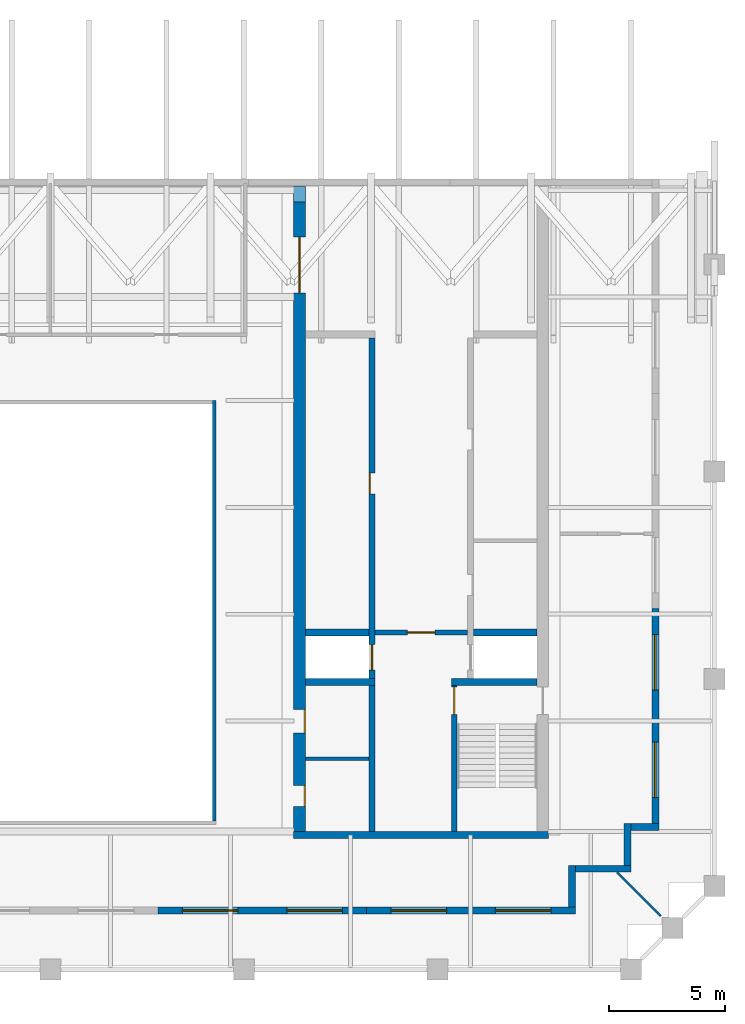
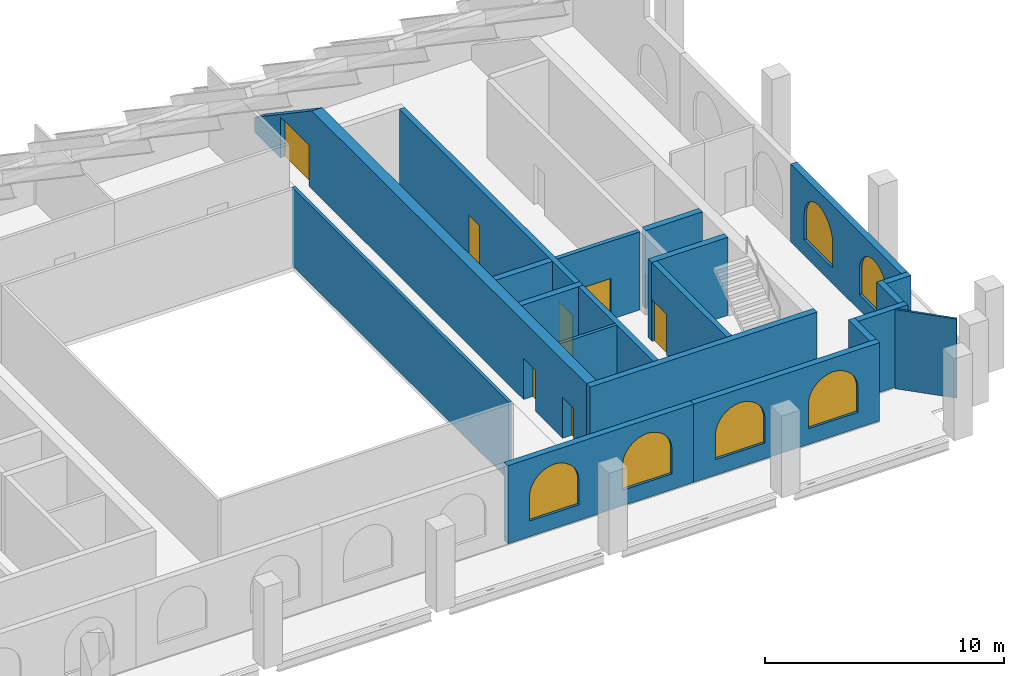
# One storey, part 4 of 6: 19 walls, 7 doors, 6 windows, 13 openings.
"""IFC4 building model written with IfcOpenShell, lengths in metres."""

from ifc_helpers import new_model, si_unit, direction, frame, frame_2d, origin, place, context, subcontext, project, spatial, polyline, rectangle, outline, extrude, material, layer, layer_set, type_object, element, fill, save


model = new_model("IFC4")

# Units and contexts
model_context = context("Model", 3, precision=1e-05, world=origin(), true_north=direction((0.0, 1.0)))
body_context = subcontext(model_context, "Body", "Model", "MODEL_VIEW")
ifc_project = project(units=[si_unit("LENGTHUNIT", "METRE"), si_unit("AREAUNIT", "SQUARE_METRE"), si_unit("VOLUMEUNIT", "CUBIC_METRE"), si_unit("PLANEANGLEUNIT", "RADIAN"), si_unit("MASSUNIT", "GRAM", prefix="KILO")], contexts=[model_context])

# Site, building, storey
site_placement = place(None, origin())
site = spatial("IfcSite", under=ifc_project, at=site_placement, CompositionType="ELEMENT")
building_placement = place(site_placement, origin())
building = spatial("IfcBuilding", under=site, at=building_placement, Name="Ogive Exchange Tower", CompositionType="ELEMENT")
storey_placement = place(building_placement, frame((0.0, 0.0, 390.0)))
storey = spatial("IfcBuildingStorey", under=building, at=storey_placement, Name="C06", CompositionType="ELEMENT", Elevation=390.0)

# Walls
ifc_material_1 = material(Name="Gypsum board partition")
ifc_layer_1 = layer(ifc_material_1, 0.14990234375)
ifc_layer_set_1 = layer_set([ifc_layer_1], Name="Core room partition 150 gypsum")
wall_type_1 = type_object("IfcWallType", Name="Core room partition 150 gypsum", PredefinedType="PARTITIONING", material=ifc_layer_set_1)
wall_1_placement = place(storey_placement, frame((11.0, 0.699951171875, 0.0), z_axis=(0.0, 0.0, 1.0), x_axis=(1.0, 0.0, 0.0)))
element("IfcWall", 1, at=wall_1_placement, inside=storey, type_object=wall_type_1, Name="E south room partition", PredefinedType="PARTITIONING", context=body_context, shape_type="SweptSolid", body=[
    extrude(rectangle(XDim=2.75, YDim=0.14990234375, at=frame_2d((1.375, 0.0))), origin(), (0.0, 0.0, 1.0), 4.0),
])
ifc_material_2 = material(Name="Fire-resisting glass in steel frame", Category="steel")
ifc_layer_2 = layer(ifc_material_2, 0.14990234375)
ifc_layer_set_2 = layer_set([ifc_layer_2], Name="Fire-rated glazed wall 150")
wall_type_2 = type_object("IfcWallType", Name="Fire-rated glazed wall 150", PredefinedType="STANDARD", material=ifc_layer_set_2)
wall_2_placement = place(storey_placement, frame((7.074951171875, 16.14990234375, 0.0), z_axis=(0.0, 0.0, 1.0), x_axis=(0.0, -1.0, 0.0)))
element("IfcWall", 2, at=wall_2_placement, inside=storey, type_object=wall_type_2, Name="Nave enclosure wall 3", PredefinedType="STANDARD", context=body_context, shape_type="SweptSolid", body=[
    extrude(rectangle(XDim=18.14990234375, YDim=0.14990234375, at=frame_2d((9.074951171875, 0.0))), origin(), (0.0, 0.0, 1.0), 4.0),
])
ifc_material_3 = material(Name="Laminated safety glass in steel frame", Category="steel")
ifc_layer_3 = layer(ifc_material_3, 0.10009765625)
ifc_layer_set_3 = layer_set([ifc_layer_3], Name="Loggia end screen 100")
wall_type_3 = type_object("IfcWallType", Name="Loggia end screen 100", PredefinedType="STANDARD", material=ifc_layer_set_3)
wall_3_placement = place(storey_placement, frame((24.449951171875, -4.199951171875, -0.050048828125), z_axis=(0.0, 0.0, 1.0), x_axis=(0.707106781187, -0.707106781187, 0.0)))
element("IfcWall", 3, at=wall_3_placement, inside=storey, type_object=wall_type_3, Name="Loggia end screen C1", PredefinedType="STANDARD", context=body_context, shape_type="SweptSolid", body=[
    extrude(rectangle(XDim=2.667236328125, YDim=0.10009765625, at=frame_2d((1.33349609375, 0.0))), origin(), (0.0, 0.0, 1.0), 4.050048828125),
])

# Wall, opening, door
ifc_material_4 = material(Name="Concrete C70/85", Category="concrete")
ifc_layer_4 = layer(ifc_material_4, 0.199951171875)
ifc_layer_set_4 = layer_set([ifc_layer_4], Name="RC core wall 200 C70/85")
wall_type_4 = type_object("IfcWallType", Name="RC core wall 200 C70/85", PredefinedType="SHEAR", material=ifc_layer_set_4)
wall_4_placement = place(storey_placement, frame((14.0, 6.142822265625, 0.0), z_axis=(0.0, 0.0, 1.0), x_axis=(1.0, 0.0, 0.0)))
wall_4 = element("IfcWall", 4, at=wall_4_placement, inside=storey, type_object=wall_type_4, Name="E firefighting lobby wall", PredefinedType="SHEAR", context=body_context, shape_type="SweptSolid", body=[
    extrude(rectangle(XDim=4.0, YDim=0.199951171875, at=frame_2d((2.0, 0.0))), origin(), (0.0, 0.0, 1.0), 4.0),
])
opening_1_placement = place(wall_4_placement, frame((1.39990234375, 0.0, 0.0)))
opening_1 = element("IfcOpeningElement", 5, at=opening_1_placement, cuts=wall_4, Name="Opening C06-C17", PredefinedType="OPENING", context=body_context, shape_type="SweptSolid", body=[
    extrude(rectangle(XDim=1.199951171875, YDim=2.10009765625, at=frame_2d((0.60009765625, 1.050048828125))), frame((0.0, 0.10986328125, 0.0), z_axis=(0.0, -1.0, 0.0), x_axis=(1.0, 0.0, 0.0)), (0.0, 0.0, 1.0), 0.219970703125),
])
ifc_material_5 = material(Name="Steel fire door", Category="steel")
door_type_1 = type_object("IfcDoorType", Name="Firefighting lobby door FD60 1200 x 2100", OperationType="NOTDEFINED", PredefinedType="DOOR", material=ifc_material_5)
door_1_placement = place(opening_1_placement, frame((1.199951171875, 0.0, 0.0), z_axis=(0.0, 0.0, 1.0), x_axis=(-1.0, 0.0, 0.0)))
door_1 = element("IfcDoor", 6, at=door_1_placement, inside=storey, type_object=door_type_1, Name="Firefighting lobby door", ObjectType="CD3", OperationType="SINGLE_SWING_LEFT", OverallHeight=2.10009765625, OverallWidth=1.199951171875, PredefinedType="DOOR", context=body_context, shape_type="SweptSolid", body=[
    extrude(rectangle(XDim=1.199951171875, YDim=2.10009765625, at=frame_2d((0.60009765625, 1.050048828125))), frame((0.0, 0.02490234375, 0.0), z_axis=(0.0, -1.0, 0.0), x_axis=(1.0, 0.0, 0.0)), (0.0, 0.0, 1.0), 0.050048828125),
])
fill(opening_1, door_1)

ifc_layer_5 = layer(ifc_material_4, 0.25)
ifc_layer_set_5 = layer_set([ifc_layer_5], Name="RC core wall 250 C70/85")
wall_type_5 = type_object("IfcWallType", Name="RC core wall 250 C70/85", PredefinedType="SHEAR", material=ifc_layer_set_5)
wall_5_placement = place(storey_placement, frame((17.425048828125, -2.449951171875, 0.0), z_axis=(0.0, 0.0, 1.0), x_axis=(0.0, 1.0, 0.0)))
wall_5 = element("IfcWall", 7, at=wall_5_placement, inside=storey, type_object=wall_type_5, Name="E stair S front wall", PredefinedType="SHEAR", context=body_context, shape_type="SweptSolid", body=[
    extrude(rectangle(XDim=6.300048828125, YDim=0.25, at=frame_2d((3.14990234375, 0.0))), origin(), (0.0, 0.0, 1.0), 4.0),
])
opening_2_placement = place(wall_5_placement, frame((5.050048828125, 0.0, 0.0)))
opening_2 = element("IfcOpeningElement", 8, at=opening_2_placement, cuts=wall_5, Name="Opening C06-C19", PredefinedType="OPENING", context=body_context, shape_type="SweptSolid", body=[
    extrude(rectangle(XDim=1.199951171875, YDim=2.10009765625, at=frame_2d((0.60009765625, 1.050048828125))), frame((0.0, 0.135009765625, 0.0), z_axis=(0.0, -1.0, 0.0), x_axis=(1.0, 0.0, 0.0)), (0.0, 0.0, 1.0), 0.27001953125),
])
door_type_2 = type_object("IfcDoorType", Name="Stair door FD90 1200 x 2100", OperationType="NOTDEFINED", PredefinedType="DOOR", material=ifc_material_5)
door_2_placement = place(opening_2_placement, frame((1.199951171875, 0.0, 0.0), z_axis=(0.0, 0.0, 1.0), x_axis=(-1.0, 0.0, 0.0)))
door_2 = element("IfcDoor", 9, at=door_2_placement, inside=storey, type_object=door_type_2, Name="Stair door", ObjectType="CD5", OperationType="SINGLE_SWING_RIGHT", OverallHeight=2.10009765625, OverallWidth=1.199951171875, PredefinedType="DOOR", context=body_context, shape_type="SweptSolid", body=[
    extrude(rectangle(XDim=1.199951171875, YDim=2.10009765625, at=frame_2d((0.60009765625, 1.050048828125))), frame((0.0, 0.02490234375, 0.0), z_axis=(0.0, -1.0, 0.0), x_axis=(1.0, 0.0, 0.0)), (0.0, 0.0, 1.0), 0.050048828125),
])
fill(opening_2, door_2)

# Wall, openings, doors
wall_6_placement = place(storey_placement, frame((13.875, -2.449951171875, 0.0), z_axis=(0.0, 0.0, 1.0), x_axis=(0.0, 1.0, 0.0)))
wall_6 = element("IfcWall", 10, at=wall_6_placement, inside=storey, type_object=wall_type_5, Name="E row B front wall", PredefinedType="SHEAR", context=body_context, shape_type="SweptSolid", body=[
    extrude(rectangle(XDim=21.300048828125, YDim=0.25, at=frame_2d((10.64990234375, 0.0))), origin(), (0.0, 0.0, 1.0), 4.0),
])
opening_3_placement = place(wall_6_placement, frame((14.5712890625, 0.0, 0.0)))
opening_3 = element("IfcOpeningElement", 11, at=opening_3_placement, cuts=wall_6, Name="Opening C06-C15", PredefinedType="OPENING", context=body_context, shape_type="SweptSolid", body=[
    extrude(rectangle(XDim=0.89990234375, YDim=2.10009765625, at=frame_2d((0.449951171875, 1.050048828125))), frame((0.0, 0.135009765625, 0.0), z_axis=(0.0, -1.0, 0.0), x_axis=(1.0, 0.0, 0.0)), (0.0, 0.0, 1.0), 0.27001953125),
])
opening_4_placement = place(wall_6_placement, frame((6.971435546875, 0.0, 0.0)))
opening_4 = element("IfcOpeningElement", 12, at=opening_4_placement, cuts=wall_6, Name="Opening C06-C16", PredefinedType="OPENING", context=body_context, shape_type="SweptSolid", body=[
    extrude(rectangle(XDim=1.10009765625, YDim=2.10009765625, at=frame_2d((0.550048828125, 1.050048828125))), frame((0.0, 0.135009765625, 0.0), z_axis=(0.0, -1.0, 0.0), x_axis=(1.0, 0.0, 0.0)), (0.0, 0.0, 1.0), 0.27001953125),
])
ifc_material_6 = material(Name="Stainless steel", Category="steel")
door_type_3 = type_object("IfcDoorType", Name="Lift landing door FD90 1100 x 2100", OperationType="SLIDING_TO_LEFT", PredefinedType="DOOR", material=ifc_material_6)
door_3_placement = place(opening_4_placement, origin())
door_3 = element("IfcDoor", 13, at=door_3_placement, inside=storey, type_object=door_type_3, Name="Lift landing door SV2", ObjectType="LD", OperationType="SLIDING_TO_LEFT", OverallHeight=2.10009765625, OverallWidth=1.10009765625, PredefinedType="DOOR", context=body_context, shape_type="SweptSolid", body=[
    extrude(rectangle(XDim=1.10009765625, YDim=2.10009765625, at=frame_2d((0.550048828125, 1.050048828125))), frame((0.0, 0.02490234375, 0.0), z_axis=(0.0, -1.0, 0.0), x_axis=(1.0, 0.0, 0.0)), (0.0, 0.0, 1.0), 0.050048828125),
])
fill(opening_4, door_3)
door_type_4 = type_object("IfcDoorType", Name="Riser door FD60 900 x 2100", OperationType="NOTDEFINED", PredefinedType="DOOR", material=ifc_material_5)
door_4_placement = place(opening_3_placement, origin())
door_4 = element("IfcDoor", 14, at=door_4_placement, inside=storey, type_object=door_type_4, Name="Riser door", ObjectType="CD2", OperationType="SINGLE_SWING_RIGHT", OverallHeight=2.10009765625, OverallWidth=0.89990234375, PredefinedType="DOOR", context=body_context, shape_type="SweptSolid", body=[
    extrude(rectangle(XDim=0.89990234375, YDim=2.10009765625, at=frame_2d((0.449951171875, 1.050048828125))), frame((0.0, 0.125, 0.0), z_axis=(0.0, -1.0, 0.0), x_axis=(1.0, 0.0, 0.0)), (0.0, 0.0, 1.0), 0.050048828125),
])
fill(opening_3, door_4)

# Walls
ifc_layer_6 = layer(ifc_material_4, 0.300048828125)
ifc_layer_set_6 = layer_set([ifc_layer_6], Name="RC core wall 300 C70/85")
wall_type_6 = type_object("IfcWallType", Name="RC core wall 300 C70/85", PredefinedType="SHEAR", material=ifc_layer_set_6)
wall_7_placement = place(storey_placement, frame((10.5, -2.60009765625, 0.0), z_axis=(0.0, 0.0, 1.0), x_axis=(1.0, 0.0, 0.0)))
element("IfcWall", 15, at=wall_7_placement, inside=storey, type_object=wall_type_6, Name="E south end wall", PredefinedType="SHEAR", context=body_context, shape_type="SweptSolid", body=[
    extrude(rectangle(XDim=11.0, YDim=0.300048828125, at=frame_2d((5.5, 0.0))), origin(), (0.0, 0.0, 1.0), 4.0),
])
wall_8_placement = place(storey_placement, frame((17.300048828125, 4.0, 0.0), z_axis=(0.0, 0.0, 1.0), x_axis=(1.0, 0.0, 0.0)))
element("IfcWall", 16, at=wall_8_placement, inside=storey, type_object=wall_type_6, Name="E stair S north wall", PredefinedType="SHEAR", context=body_context, shape_type="SweptSolid", body=[
    extrude(rectangle(XDim=3.699951171875, YDim=0.300048828125, at=frame_2d((1.85009765625, 0.0))), origin(), (0.0, 0.0, 1.0), 4.0),
])
wall_9_placement = place(storey_placement, frame((18.25, 6.142822265625, 0.0), z_axis=(0.0, 0.0, 1.0), x_axis=(1.0, 0.0, 0.0)))
element("IfcWall", 17, at=wall_9_placement, inside=storey, type_object=wall_type_6, Name="E row A divider 1", PredefinedType="SHEAR", context=body_context, shape_type="SweptSolid", body=[
    extrude(rectangle(XDim=2.75, YDim=0.300048828125, at=frame_2d((1.375, 0.0))), origin(), (0.0, 0.0, 1.0), 4.0),
])
wall_10_placement = place(storey_placement, frame((11.0, 4.0, 0.0), z_axis=(0.0, 0.0, 1.0), x_axis=(1.0, 0.0, 0.0)))
element("IfcWall", 18, at=wall_10_placement, inside=storey, type_object=wall_type_6, Name="E row B divider 0", PredefinedType="SHEAR", context=body_context, shape_type="SweptSolid", body=[
    extrude(rectangle(XDim=3.0, YDim=0.300048828125, at=frame_2d((1.5, 0.0))), origin(), (0.0, 0.0, 1.0), 4.0),
])
wall_11_placement = place(storey_placement, frame((11.0, 6.142822265625, 0.0), z_axis=(0.0, 0.0, 1.0), x_axis=(1.0, 0.0, 0.0)))
element("IfcWall", 19, at=wall_11_placement, inside=storey, type_object=wall_type_6, Name="E row B divider 1", PredefinedType="SHEAR", context=body_context, shape_type="SweptSolid", body=[
    extrude(rectangle(XDim=2.75, YDim=0.300048828125, at=frame_2d((1.375, 0.0))), origin(), (0.0, 0.0, 1.0), 4.0),
])

# Wall, openings, doors
ifc_layer_7 = layer(ifc_material_4, 0.5)
ifc_layer_set_7 = layer_set([ifc_layer_7], Name="RC core wall 500 C70/85")
wall_type_7 = type_object("IfcWallType", Name="RC core wall 500 C70/85", PredefinedType="SHEAR", material=ifc_layer_set_7)
wall_12_placement = place(storey_placement, frame((10.75, -2.449951171875, 0.0), z_axis=(0.0, 0.0, 1.0), x_axis=(0.0, 1.0, 0.0)))
wall_12 = element("IfcWall", 20, at=wall_12_placement, inside=storey, type_object=wall_type_7, Name="E inner wall", PredefinedType="SHEAR", context=body_context, shape_type="SweptSolid", body=[
    extrude(outline(polyline([(0.0, 0.0), (27.830810546875, 0.0), (27.830810546875, 0.753662109375), (23.017822265625, 4.0), (0.0, 4.0), (0.0, 0.0)])), frame((0.0, 0.25, 0.0), z_axis=(0.0, -1.0, 0.0), x_axis=(1.0, 0.0, 0.0)), (0.0, 0.0, 1.0), 0.5),
])
opening_5_placement = place(wall_12_placement, frame((23.25, 0.0, 0.0)))
opening_5 = element("IfcOpeningElement", 21, at=opening_5_placement, cuts=wall_12, Name="Opening C06-C18", PredefinedType="OPENING", context=body_context, shape_type="SweptSolid", body=[
    extrude(rectangle(XDim=2.39990234375, YDim=2.10009765625, at=frame_2d((1.199951171875, 1.050048828125))), frame((0.0, 0.260009765625, 0.0), z_axis=(0.0, -1.0, 0.0), x_axis=(1.0, 0.0, 0.0)), (0.0, 0.0, 1.0), 0.52001953125),
])
opening_6_placement = place(wall_12_placement, frame((1.08740234375, 0.0, 0.0)))
opening_6 = element("IfcOpeningElement", 22, at=opening_6_placement, cuts=wall_12, Name="Opening C06-C21", PredefinedType="OPENING", context=body_context, shape_type="SweptSolid", body=[
    extrude(rectangle(XDim=0.89990234375, YDim=2.10009765625, at=frame_2d((0.449951171875, 1.050048828125))), frame((0.0, 0.260009765625, 0.0), z_axis=(0.0, -1.0, 0.0), x_axis=(1.0, 0.0, 0.0)), (0.0, 0.0, 1.0), 0.52001953125),
])
opening_7_placement = place(wall_12_placement, frame((4.262451171875, 0.0, 0.0)))
opening_7 = element("IfcOpeningElement", 23, at=opening_7_placement, cuts=wall_12, Name="Opening C06-C22", PredefinedType="OPENING", context=body_context, shape_type="SweptSolid", body=[
    extrude(rectangle(XDim=1.0, YDim=2.10009765625, at=frame_2d((0.5, 1.050048828125))), frame((0.0, 0.260009765625, 0.0), z_axis=(0.0, -1.0, 0.0), x_axis=(1.0, 0.0, 0.0)), (0.0, 0.0, 1.0), 0.52001953125),
])
ifc_material_7 = material(Name="Timber fire door", Category="wood")
door_type_5 = type_object("IfcDoorType", Name="Accessible WC door FD30S 1000 x 2100", OperationType="NOTDEFINED", PredefinedType="DOOR", material=ifc_material_7)
door_5_placement = place(opening_7_placement, origin())
door_5 = element("IfcDoor", 24, at=door_5_placement, inside=storey, type_object=door_type_5, Name="Accessible WC door", ObjectType="CD7", OperationType="SINGLE_SWING_RIGHT", OverallHeight=2.10009765625, OverallWidth=1.0, PredefinedType="DOOR", context=body_context, shape_type="SweptSolid", body=[
    extrude(rectangle(XDim=1.0, YDim=2.10009765625, at=frame_2d((0.5, 1.050048828125))), frame((0.0, -0.2001953125, 0.0), z_axis=(0.0, -1.0, 0.0), x_axis=(1.0, 0.0, 0.0)), (0.0, 0.0, 1.0), 0.050048828125),
])
fill(opening_7, door_5)
door_type_6 = type_object("IfcDoorType", Name="Core room door FD30S 900 x 2100", OperationType="NOTDEFINED", PredefinedType="DOOR", material=ifc_material_7)
door_6_placement = place(opening_6_placement, origin())
door_6 = element("IfcDoor", 25, at=door_6_placement, inside=storey, type_object=door_type_6, Name="Core room door", ObjectType="CD6", OperationType="SINGLE_SWING_RIGHT", OverallHeight=2.10009765625, OverallWidth=0.89990234375, PredefinedType="DOOR", context=body_context, shape_type="SweptSolid", body=[
    extrude(rectangle(XDim=0.89990234375, YDim=2.10009765625, at=frame_2d((0.449951171875, 1.050048828125))), frame((0.0, -0.2001953125, 0.0), z_axis=(0.0, -1.0, 0.0), x_axis=(1.0, 0.0, 0.0)), (0.0, 0.0, 1.0), 0.050048828125),
])
fill(opening_6, door_6)
ifc_material_8 = material(Name="Glazed steel fire door", Category="steel")
door_type_7 = type_object("IfcDoorType", Name="Lift lobby double door FD60 2400 x 2100", OperationType="DOUBLE_DOOR_SINGLE_SWING", PredefinedType="DOOR", material=ifc_material_8)
door_7_placement = place(opening_5_placement, origin())
door_7 = element("IfcDoor", 26, at=door_7_placement, inside=storey, type_object=door_type_7, Name="Lift lobby double door", ObjectType="CD4", OperationType="DOUBLE_DOOR_SINGLE_SWING", OverallHeight=2.10009765625, OverallWidth=2.39990234375, PredefinedType="DOOR", context=body_context, shape_type="SweptSolid", body=[
    extrude(rectangle(XDim=2.39990234375, YDim=2.10009765625, at=frame_2d((1.199951171875, 1.050048828125))), frame((0.0, 0.02490234375, 0.0), z_axis=(0.0, -1.0, 0.0), x_axis=(1.0, 0.0, 0.0)), (0.0, 0.0, 1.0), 0.050048828125),
])
fill(opening_5, door_7)

# Wall, openings, windows
ifc_material_9 = material(Name="Precast concrete C40/50", Category="concrete")
ifc_layer_8 = layer(ifc_material_9, 0.300048828125)
ifc_layer_set_8 = layer_set([ifc_layer_8], Name="Zinc-clad crown wall 300")
wall_type_8 = type_object("IfcWallType", Name="Zinc-clad crown wall 300", PredefinedType="STANDARD", material=ifc_layer_set_8)
wall_13_placement = place(storey_placement, frame((4.64990234375, -5.85009765625, 0.0), z_axis=(0.0, 0.0, 1.0), x_axis=(1.0, 0.0, 0.0)))
wall_13 = element("IfcWall", 27, at=wall_13_placement, inside=storey, type_object=wall_type_8, Name="Crown wall 7", PredefinedType="STANDARD", context=body_context, shape_type="SweptSolid", body=[
    extrude(rectangle(XDim=9.0, YDim=0.300048828125, at=frame_2d((4.5, 0.0))), origin(), (0.0, 0.0, 1.0), 4.0),
])
opening_8_placement = place(wall_13_placement, frame((1.050048828125, 0.0, 0.800048828125)))
opening_8 = element("IfcOpeningElement", 28, at=opening_8_placement, cuts=wall_13, Name="Opening WC25", PredefinedType="OPENING", context=body_context, shape_type="SweptSolid", body=[
    extrude(outline(polyline([(0.0, 0.0), (2.39990234375, 0.0), (2.39990234375, 1.25), (2.377197265625, 1.48779296875), (2.3095703125, 1.717041015625), (2.19970703125, 1.928955078125), (2.05126953125, 2.116455078125), (1.8701171875, 2.272216796875), (1.662841796875, 2.390625), (1.4365234375, 2.467529296875), (1.199951171875, 2.5), (0.96337890625, 2.467529296875), (0.737060546875, 2.390625), (0.52978515625, 2.272216796875), (0.3486328125, 2.116455078125), (0.2001953125, 1.928955078125), (0.09033203125, 1.717041015625), (0.022705078125, 1.48779296875), (0.0, 1.25), (0.0, 0.0)])), frame((0.0, 0.159912109375, 0.0), z_axis=(0.0, -1.0, 0.0), x_axis=(1.0, 0.0, 0.0)), (0.0, 0.0, 1.0), 0.320068359375),
])
opening_9_placement = place(wall_13_placement, frame((5.550048828125, 0.0, 0.800048828125)))
opening_9 = element("IfcOpeningElement", 29, at=opening_9_placement, cuts=wall_13, Name="Opening WC25", PredefinedType="OPENING", context=body_context, shape_type="SweptSolid", body=[
    extrude(outline(polyline([(0.0, 0.0), (2.39990234375, 0.0), (2.39990234375, 1.25), (2.377197265625, 1.48779296875), (2.3095703125, 1.717041015625), (2.19970703125, 1.928955078125), (2.05126953125, 2.116455078125), (1.8701171875, 2.272216796875), (1.662841796875, 2.390625), (1.4365234375, 2.467529296875), (1.199951171875, 2.5), (0.96337890625, 2.467529296875), (0.737060546875, 2.390625), (0.52978515625, 2.272216796875), (0.3486328125, 2.116455078125), (0.2001953125, 1.928955078125), (0.09033203125, 1.717041015625), (0.022705078125, 1.48779296875), (0.0, 1.25), (0.0, 0.0)])), frame((0.0, 0.159912109375, 0.0), z_axis=(0.0, -1.0, 0.0), x_axis=(1.0, 0.0, 0.0)), (0.0, 0.0, 1.0), 0.320068359375),
])
ifc_material_10 = material(Name="Clear glass in bronze frame", Category="glass")
window_type = type_object("IfcWindowType", Name="Crown lancet window 2400 x 2500", PartitioningType="DOUBLE_PANEL_VERTICAL", PredefinedType="WINDOW", material=ifc_material_10)
window_1_placement = place(opening_8_placement, origin())
window_1 = element("IfcWindow", 30, at=window_1_placement, inside=storey, type_object=window_type, Name="Crown lancet 7.1", OverallHeight=2.5, OverallWidth=2.39990234375, PartitioningType="DOUBLE_PANEL_VERTICAL", PredefinedType="WINDOW", context=body_context, shape_type="SweptSolid", body=[
    extrude(outline(polyline([(0.0, 0.0), (2.39990234375, 0.0), (2.39990234375, 1.25), (2.377197265625, 1.48779296875), (2.3095703125, 1.717041015625), (2.19970703125, 1.928955078125), (2.05126953125, 2.116455078125), (1.8701171875, 2.272216796875), (1.662841796875, 2.390625), (1.4365234375, 2.467529296875), (1.199951171875, 2.5), (0.96337890625, 2.467529296875), (0.737060546875, 2.390625), (0.52978515625, 2.272216796875), (0.3486328125, 2.116455078125), (0.2001953125, 1.928955078125), (0.09033203125, 1.717041015625), (0.022705078125, 1.48779296875), (0.0, 1.25), (0.0, 0.0)])), frame((0.0, 0.030029296875, 0.0), z_axis=(0.0, -1.0, 0.0), x_axis=(1.0, 0.0, 0.0)), (0.0, 0.0, 1.0), 0.06005859375),
])
fill(opening_8, window_1)
window_2_placement = place(opening_9_placement, origin())
window_2 = element("IfcWindow", 31, at=window_2_placement, inside=storey, type_object=window_type, Name="Crown lancet 7.2", OverallHeight=2.5, OverallWidth=2.39990234375, PartitioningType="DOUBLE_PANEL_VERTICAL", PredefinedType="WINDOW", context=body_context, shape_type="SweptSolid", body=[
    extrude(outline(polyline([(0.0, 0.0), (2.39990234375, 0.0), (2.39990234375, 1.25), (2.377197265625, 1.48779296875), (2.3095703125, 1.717041015625), (2.19970703125, 1.928955078125), (2.05126953125, 2.116455078125), (1.8701171875, 2.272216796875), (1.662841796875, 2.390625), (1.4365234375, 2.467529296875), (1.199951171875, 2.5), (0.96337890625, 2.467529296875), (0.737060546875, 2.390625), (0.52978515625, 2.272216796875), (0.3486328125, 2.116455078125), (0.2001953125, 1.928955078125), (0.09033203125, 1.717041015625), (0.022705078125, 1.48779296875), (0.0, 1.25), (0.0, 0.0)])), frame((0.0, 0.030029296875, 0.0), z_axis=(0.0, -1.0, 0.0), x_axis=(1.0, 0.0, 0.0)), (0.0, 0.0, 1.0), 0.06005859375),
])
fill(opening_9, window_2)

wall_14_placement = place(storey_placement, frame((13.64990234375, -5.85009765625, 0.0), z_axis=(0.0, 0.0, 1.0), x_axis=(1.0, 0.0, 0.0)))
wall_14 = element("IfcWall", 32, at=wall_14_placement, inside=storey, type_object=wall_type_8, Name="Crown wall 8", PredefinedType="STANDARD", context=body_context, shape_type="SweptSolid", body=[
    extrude(rectangle(XDim=9.0, YDim=0.300048828125, at=frame_2d((4.5, 0.0))), origin(), (0.0, 0.0, 1.0), 4.0),
])
opening_10_placement = place(wall_14_placement, frame((1.050048828125, 0.0, 0.800048828125)))
opening_10 = element("IfcOpeningElement", 33, at=opening_10_placement, cuts=wall_14, Name="Opening WC25", PredefinedType="OPENING", context=body_context, shape_type="SweptSolid", body=[
    extrude(outline(polyline([(0.0, 0.0), (2.39990234375, 0.0), (2.39990234375, 1.25), (2.377197265625, 1.48779296875), (2.3095703125, 1.717041015625), (2.19970703125, 1.928955078125), (2.05126953125, 2.116455078125), (1.8701171875, 2.272216796875), (1.662841796875, 2.390625), (1.4365234375, 2.467529296875), (1.199951171875, 2.5), (0.96337890625, 2.467529296875), (0.737060546875, 2.390625), (0.52978515625, 2.272216796875), (0.3486328125, 2.116455078125), (0.2001953125, 1.928955078125), (0.09033203125, 1.717041015625), (0.022705078125, 1.48779296875), (0.0, 1.25), (0.0, 0.0)])), frame((0.0, 0.159912109375, 0.0), z_axis=(0.0, -1.0, 0.0), x_axis=(1.0, 0.0, 0.0)), (0.0, 0.0, 1.0), 0.320068359375),
])
opening_11_placement = place(wall_14_placement, frame((5.550048828125, 0.0, 0.800048828125)))
opening_11 = element("IfcOpeningElement", 34, at=opening_11_placement, cuts=wall_14, Name="Opening WC25", PredefinedType="OPENING", context=body_context, shape_type="SweptSolid", body=[
    extrude(outline(polyline([(0.0, 0.0), (2.39990234375, 0.0), (2.39990234375, 1.25), (2.377197265625, 1.48779296875), (2.3095703125, 1.717041015625), (2.19970703125, 1.928955078125), (2.05126953125, 2.116455078125), (1.8701171875, 2.272216796875), (1.662841796875, 2.390625), (1.4365234375, 2.467529296875), (1.199951171875, 2.5), (0.96337890625, 2.467529296875), (0.737060546875, 2.390625), (0.52978515625, 2.272216796875), (0.3486328125, 2.116455078125), (0.2001953125, 1.928955078125), (0.09033203125, 1.717041015625), (0.022705078125, 1.48779296875), (0.0, 1.25), (0.0, 0.0)])), frame((0.0, 0.159912109375, 0.0), z_axis=(0.0, -1.0, 0.0), x_axis=(1.0, 0.0, 0.0)), (0.0, 0.0, 1.0), 0.320068359375),
])
window_3_placement = place(opening_10_placement, origin())
window_3 = element("IfcWindow", 35, at=window_3_placement, inside=storey, type_object=window_type, Name="Crown lancet 8.1", OverallHeight=2.5, OverallWidth=2.39990234375, PartitioningType="DOUBLE_PANEL_VERTICAL", PredefinedType="WINDOW", context=body_context, shape_type="SweptSolid", body=[
    extrude(outline(polyline([(0.0, 0.0), (2.39990234375, 0.0), (2.39990234375, 1.25), (2.377197265625, 1.48779296875), (2.3095703125, 1.717041015625), (2.19970703125, 1.928955078125), (2.05126953125, 2.116455078125), (1.8701171875, 2.272216796875), (1.662841796875, 2.390625), (1.4365234375, 2.467529296875), (1.199951171875, 2.5), (0.96337890625, 2.467529296875), (0.737060546875, 2.390625), (0.52978515625, 2.272216796875), (0.3486328125, 2.116455078125), (0.2001953125, 1.928955078125), (0.09033203125, 1.717041015625), (0.022705078125, 1.48779296875), (0.0, 1.25), (0.0, 0.0)])), frame((0.0, 0.030029296875, 0.0), z_axis=(0.0, -1.0, 0.0), x_axis=(1.0, 0.0, 0.0)), (0.0, 0.0, 1.0), 0.06005859375),
])
fill(opening_10, window_3)
window_4_placement = place(opening_11_placement, origin())
window_4 = element("IfcWindow", 36, at=window_4_placement, inside=storey, type_object=window_type, Name="Crown lancet 8.2", OverallHeight=2.5, OverallWidth=2.39990234375, PartitioningType="DOUBLE_PANEL_VERTICAL", PredefinedType="WINDOW", context=body_context, shape_type="SweptSolid", body=[
    extrude(outline(polyline([(0.0, 0.0), (2.39990234375, 0.0), (2.39990234375, 1.25), (2.377197265625, 1.48779296875), (2.3095703125, 1.717041015625), (2.19970703125, 1.928955078125), (2.05126953125, 2.116455078125), (1.8701171875, 2.272216796875), (1.662841796875, 2.390625), (1.4365234375, 2.467529296875), (1.199951171875, 2.5), (0.96337890625, 2.467529296875), (0.737060546875, 2.390625), (0.52978515625, 2.272216796875), (0.3486328125, 2.116455078125), (0.2001953125, 1.928955078125), (0.09033203125, 1.717041015625), (0.022705078125, 1.48779296875), (0.0, 1.25), (0.0, 0.0)])), frame((0.0, 0.030029296875, 0.0), z_axis=(0.0, -1.0, 0.0), x_axis=(1.0, 0.0, 0.0)), (0.0, 0.0, 1.0), 0.06005859375),
])
fill(opening_11, window_4)

# Walls
wall_15_placement = place(storey_placement, frame((22.5, -5.699951171875, 0.0), z_axis=(0.0, 0.0, 1.0), x_axis=(0.0, 1.0, 0.0)))
element("IfcWall", 37, at=wall_15_placement, inside=storey, type_object=wall_type_8, Name="Crown wall 9", PredefinedType="STANDARD", context=body_context, shape_type="SweptSolid", body=[
    extrude(rectangle(XDim=1.800048828125, YDim=0.300048828125, at=frame_2d((0.89990234375, 0.0))), origin(), (0.0, 0.0, 1.0), 4.0),
])
wall_16_placement = place(storey_placement, frame((22.64990234375, -4.050048828125, 0.0), z_axis=(0.0, 0.0, 1.0), x_axis=(1.0, 0.0, 0.0)))
element("IfcWall", 38, at=wall_16_placement, inside=storey, type_object=wall_type_8, Name="Crown wall 10", PredefinedType="STANDARD", context=body_context, shape_type="SweptSolid", body=[
    extrude(rectangle(XDim=2.400146484375, YDim=0.300048828125, at=frame_2d((1.2001953125, 0.0))), origin(), (0.0, 0.0, 1.0), 4.0),
])
wall_17_placement = place(storey_placement, frame((24.89990234375, -3.89990234375, 0.0), z_axis=(0.0, 0.0, 1.0), x_axis=(0.0, 1.0, 0.0)))
element("IfcWall", 39, at=wall_17_placement, inside=storey, type_object=wall_type_8, Name="Crown wall 11", PredefinedType="STANDARD", context=body_context, shape_type="SweptSolid", body=[
    extrude(rectangle(XDim=1.7998046875, YDim=0.300048828125, at=frame_2d((0.89990234375, 0.0))), origin(), (0.0, 0.0, 1.0), 4.0),
])
wall_18_placement = place(storey_placement, frame((25.050048828125, -2.25, 0.0), z_axis=(0.0, 0.0, 1.0), x_axis=(1.0, 0.0, 0.0)))
element("IfcWall", 40, at=wall_18_placement, inside=storey, type_object=wall_type_8, Name="Crown wall 12", PredefinedType="STANDARD", context=body_context, shape_type="SweptSolid", body=[
    extrude(rectangle(XDim=1.199951171875, YDim=0.300048828125, at=frame_2d((0.60009765625, 0.0))), origin(), (0.0, 0.0, 1.0), 4.0),
])

# Wall, openings, windows
wall_19_placement = place(storey_placement, frame((26.10009765625, -2.10009765625, 0.0), z_axis=(0.0, 0.0, 1.0), x_axis=(0.0, 1.0, 0.0)))
wall_19 = element("IfcWall", 41, at=wall_19_placement, inside=storey, type_object=wall_type_8, Name="Crown wall 13", PredefinedType="STANDARD", context=body_context, shape_type="SweptSolid", body=[
    extrude(rectangle(XDim=9.273681640625, YDim=0.300048828125, at=frame_2d((4.63671875, 0.0))), origin(), (0.0, 0.0, 1.0), 4.0),
])
opening_12_placement = place(wall_19_placement, frame((1.118408203125, 0.0, 0.800048828125)))
opening_12 = element("IfcOpeningElement", 42, at=opening_12_placement, cuts=wall_19, Name="Opening WC25", PredefinedType="OPENING", context=body_context, shape_type="SweptSolid", body=[
    extrude(outline(polyline([(0.0, 0.0), (2.39990234375, 0.0), (2.39990234375, 1.25), (2.377197265625, 1.48779296875), (2.3095703125, 1.717041015625), (2.19970703125, 1.928955078125), (2.05126953125, 2.116455078125), (1.8701171875, 2.272216796875), (1.662841796875, 2.390625), (1.4365234375, 2.467529296875), (1.199951171875, 2.5), (0.96337890625, 2.467529296875), (0.737060546875, 2.390625), (0.52978515625, 2.272216796875), (0.3486328125, 2.116455078125), (0.2001953125, 1.928955078125), (0.09033203125, 1.717041015625), (0.022705078125, 1.48779296875), (0.0, 1.25), (0.0, 0.0)])), frame((0.0, 0.159912109375, 0.0), z_axis=(0.0, -1.0, 0.0), x_axis=(1.0, 0.0, 0.0)), (0.0, 0.0, 1.0), 0.320068359375),
])
opening_13_placement = place(wall_19_placement, frame((5.755126953125, 0.0, 0.800048828125)))
opening_13 = element("IfcOpeningElement", 43, at=opening_13_placement, cuts=wall_19, Name="Opening WC25", PredefinedType="OPENING", context=body_context, shape_type="SweptSolid", body=[
    extrude(outline(polyline([(0.0, 0.0), (2.39990234375, 0.0), (2.39990234375, 1.25), (2.377197265625, 1.48779296875), (2.3095703125, 1.717041015625), (2.19970703125, 1.928955078125), (2.05126953125, 2.116455078125), (1.8701171875, 2.272216796875), (1.662841796875, 2.390625), (1.4365234375, 2.467529296875), (1.199951171875, 2.5), (0.96337890625, 2.467529296875), (0.737060546875, 2.390625), (0.52978515625, 2.272216796875), (0.3486328125, 2.116455078125), (0.2001953125, 1.928955078125), (0.09033203125, 1.717041015625), (0.022705078125, 1.48779296875), (0.0, 1.25), (0.0, 0.0)])), frame((0.0, 0.159912109375, 0.0), z_axis=(0.0, -1.0, 0.0), x_axis=(1.0, 0.0, 0.0)), (0.0, 0.0, 1.0), 0.320068359375),
])
window_5_placement = place(opening_12_placement, origin())
window_5 = element("IfcWindow", 44, at=window_5_placement, inside=storey, type_object=window_type, Name="Crown lancet 13.1", OverallHeight=2.5, OverallWidth=2.39990234375, PartitioningType="DOUBLE_PANEL_VERTICAL", PredefinedType="WINDOW", context=body_context, shape_type="SweptSolid", body=[
    extrude(outline(polyline([(0.0, 0.0), (2.39990234375, 0.0), (2.39990234375, 1.25), (2.377197265625, 1.48779296875), (2.3095703125, 1.717041015625), (2.19970703125, 1.928955078125), (2.05126953125, 2.116455078125), (1.8701171875, 2.272216796875), (1.662841796875, 2.390625), (1.4365234375, 2.467529296875), (1.199951171875, 2.5), (0.96337890625, 2.467529296875), (0.737060546875, 2.390625), (0.52978515625, 2.272216796875), (0.3486328125, 2.116455078125), (0.2001953125, 1.928955078125), (0.09033203125, 1.717041015625), (0.022705078125, 1.48779296875), (0.0, 1.25), (0.0, 0.0)])), frame((0.0, 0.030029296875, 0.0), z_axis=(0.0, -1.0, 0.0), x_axis=(1.0, 0.0, 0.0)), (0.0, 0.0, 1.0), 0.06005859375),
])
fill(opening_12, window_5)
window_6_placement = place(opening_13_placement, origin())
window_6 = element("IfcWindow", 45, at=window_6_placement, inside=storey, type_object=window_type, Name="Crown lancet 13.2", OverallHeight=2.5, OverallWidth=2.39990234375, PartitioningType="DOUBLE_PANEL_VERTICAL", PredefinedType="WINDOW", context=body_context, shape_type="SweptSolid", body=[
    extrude(outline(polyline([(0.0, 0.0), (2.39990234375, 0.0), (2.39990234375, 1.25), (2.377197265625, 1.48779296875), (2.3095703125, 1.717041015625), (2.19970703125, 1.928955078125), (2.05126953125, 2.116455078125), (1.8701171875, 2.272216796875), (1.662841796875, 2.390625), (1.4365234375, 2.467529296875), (1.199951171875, 2.5), (0.96337890625, 2.467529296875), (0.737060546875, 2.390625), (0.52978515625, 2.272216796875), (0.3486328125, 2.116455078125), (0.2001953125, 1.928955078125), (0.09033203125, 1.717041015625), (0.022705078125, 1.48779296875), (0.0, 1.25), (0.0, 0.0)])), frame((0.0, 0.030029296875, 0.0), z_axis=(0.0, -1.0, 0.0), x_axis=(1.0, 0.0, 0.0)), (0.0, 0.0, 1.0), 0.06005859375),
])
fill(opening_13, window_6)

save(model, "model.ifc")
